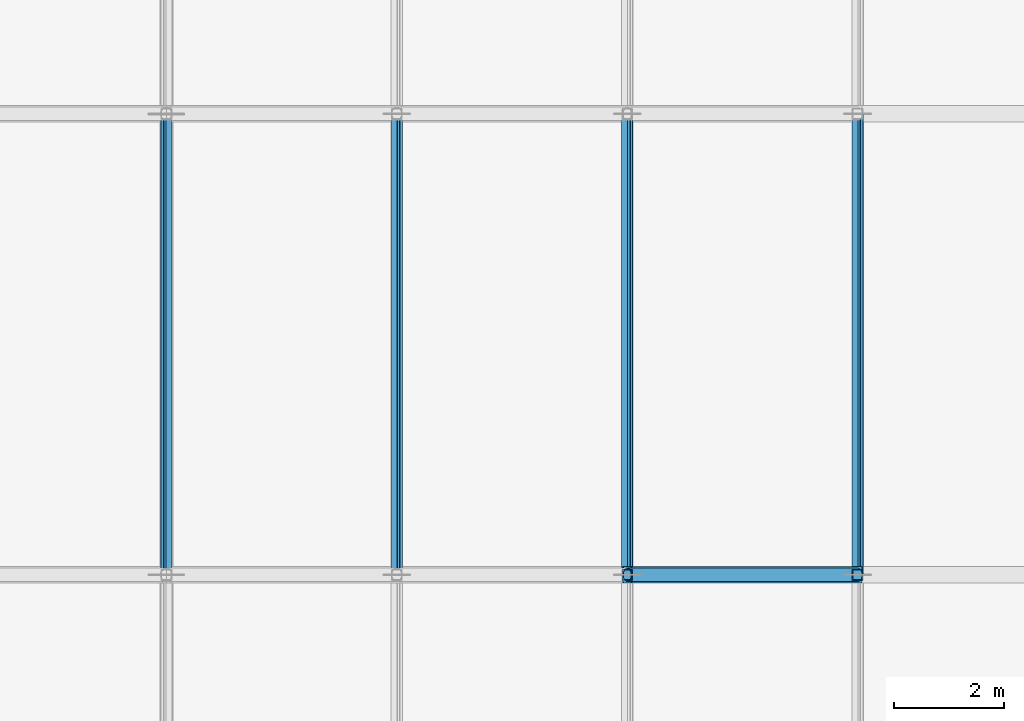
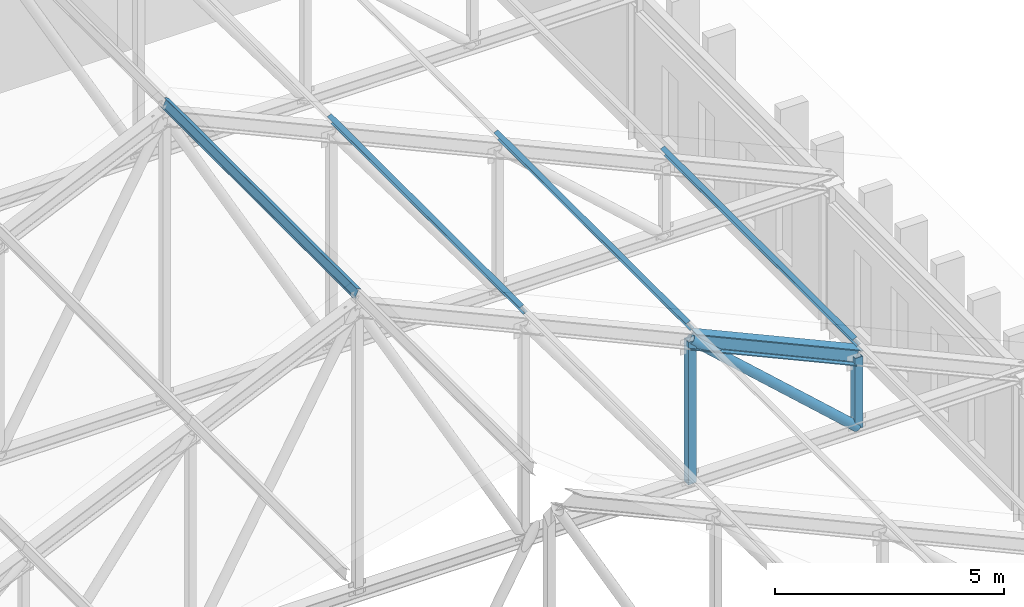
# One storey, part 12 of 110: 8 members.
"""IFC4 building model written with IfcOpenShell, lengths in metres."""

import ifcopenshell
import ifcopenshell.guid

model = None  # the IFC model being written
_history = None  # IfcOwnerHistory: only IFC2X3 demands one
_inside = {}  # id of a spatial element -> (the spatial element, [elements in it])
_under = {}  # id of a project, library or spatial element -> (it, [spatial elements below it])
_declared = {}  # id of a project -> (the project, [libraries it declares])
_typed = {}  # id of a type object -> (the type object, [elements of that type])
_made_of = {}  # id of a material, layer set ... -> (it, [elements and type objects made of it])


def new_model(schema):
    """Start an empty IFC model of exactly this schema.

    Asked for "IFC4X3", IfcOpenShell would pick the latest addendum, in which some entities
    have other attributes; the version numbers below select the first issue.
    IFC2X3 requires an IfcOwnerHistory on every rooted entity: one is made here for all.
    """
    global model, _history
    if schema == "IFC4X3":
        model = ifcopenshell.file(schema_version=(4, 3, 0, 0))
    else:
        model = ifcopenshell.file(schema=schema)
    _inside.clear()
    _under.clear()
    _declared.clear()
    _typed.clear()
    _made_of.clear()
    _history = None
    if model.schema == "IFC2X3":
        org = make("IfcOrganization", Name="unknown")
        user = make(
            "IfcPersonAndOrganization",
            ThePerson=make("IfcPerson", FamilyName="unknown"),
            TheOrganization=org,
        )
        app = make(
            "IfcApplication",
            ApplicationDeveloper=org,
            Version="unknown",
            ApplicationFullName="unknown",
            ApplicationIdentifier="unknown",
        )
        _history = make(
            "IfcOwnerHistory",
            OwningUser=user,
            OwningApplication=app,
            ChangeAction="ADDED",
            CreationDate=0,
        )
    return model


def make(cls, **values):
    """One entity of the class cls with the attributes given. An attribute that is None is left unset."""
    return model.create_entity(
        cls, **{name: value for name, value in values.items() if value is not None}
    )


def rooted(cls, **values):
    """An entity with a GlobalId (a new one), such as an element, a storey or a relation."""
    return make(cls, GlobalId=ifcopenshell.guid.new(), OwnerHistory=_history, **values)


def si_unit(unit_type, name, prefix=None):
    """IfcSIUnit, for example si_unit("LENGTHUNIT", "METRE", prefix="MILLI")."""
    return make("IfcSIUnit", UnitType=unit_type, Prefix=prefix, Name=name)


def assignment(units):
    """IfcUnitAssignment: the units of a project."""
    return None if units is None else make("IfcUnitAssignment", Units=units)


def point(xyz):
    """IfcCartesianPoint."""
    return None if xyz is None else make("IfcCartesianPoint", Coordinates=xyz)


def direction(xyz):
    """IfcDirection."""
    return None if xyz is None else make("IfcDirection", DirectionRatios=xyz)


def frame(location, z_axis=None, x_axis=None):
    """IfcAxis2Placement3D, a coordinate frame: its origin and axes. An axis left out is left unset."""
    return make(
        "IfcAxis2Placement3D",
        Location=point(location),
        Axis=direction(z_axis),
        RefDirection=direction(x_axis),
    )


def frame_2d(location, x_axis=None):
    """IfcAxis2Placement2D, a coordinate frame in the plane: its origin and x axis."""
    return make(
        "IfcAxis2Placement2D", Location=point(location), RefDirection=direction(x_axis)
    )


def origin():
    """The frame at (0, 0, 0) with its axes left unset."""
    return frame((0.0, 0.0, 0.0))


def origin_2d():
    """The frame at (0, 0) in the plane with its x axis left unset."""
    return frame_2d((0.0, 0.0))


def place(relative_to, where):
    """IfcLocalPlacement: puts the frame where relative to a parent placement (None: the world)."""
    return make(
        "IfcLocalPlacement", PlacementRelTo=relative_to, RelativePlacement=where
    )


def context(
    kind, dimensions, precision=None, world=None, true_north=None, identifier=None
):
    """IfcGeometricRepresentationContext, for example the 3D "Model" context."""
    return make(
        "IfcGeometricRepresentationContext",
        ContextIdentifier=identifier,
        ContextType=kind,
        CoordinateSpaceDimension=dimensions,
        Precision=precision,
        WorldCoordinateSystem=world,
        TrueNorth=true_north,
    )


def subcontext(parent, identifier, kind, view, scale=None):
    """IfcGeometricRepresentationSubContext, for example "Body" below "Model"."""
    return make(
        "IfcGeometricRepresentationSubContext",
        ContextIdentifier=identifier,
        ContextType=kind,
        ParentContext=parent,
        TargetScale=scale,
        TargetView=view,
    )


def project(units=None, contexts=None):
    """IfcProject with its units and contexts."""
    return rooted(
        "IfcProject",
        Name="project",
        RepresentationContexts=contexts,
        UnitsInContext=assignment(units),
    )


def spatial(cls, under=None, at=None, **own):
    """A site, building, storey or space (cls), placed at a placement, below another one or the project."""
    s = rooted(cls, ObjectPlacement=at, **own)
    if under is not None:
        _under.setdefault(under.id(), (under, []))[1].append(s)
    return s


def profile(cls, at=None, kind="AREA", **sizes):
    """A parametric profile (cls). Its sizes go by their IFC names, for example OverallWidth=200.0."""
    return make(cls, ProfileType=kind, Position=at, **sizes)


def hollow_rectangle(**sizes):
    """IfcRectangleHollowProfileDef."""
    return profile("IfcRectangleHollowProfileDef", **sizes)


def hollow_circle(**sizes):
    """IfcCircleHollowProfileDef."""
    return profile("IfcCircleHollowProfileDef", **sizes)


def i_section(**sizes):
    """IfcIShapeProfileDef."""
    return profile("IfcIShapeProfileDef", **sizes)


def extrude(swept, where, along, depth):
    """IfcExtrudedAreaSolid: the profile swept, set in the frame where, extruded along a direction by depth."""
    return make(
        "IfcExtrudedAreaSolid",
        SweptArea=swept,
        Position=where,
        ExtrudedDirection=direction(along),
        Depth=depth,
    )


def shape(context_of_items, identifier, shape_type, items):
    """IfcShapeRepresentation: the items that make up one representation, for example the "Body"."""
    return make(
        "IfcShapeRepresentation",
        ContextOfItems=context_of_items,
        RepresentationIdentifier=identifier,
        RepresentationType=shape_type,
        Items=items,
    )


def material(Name=None, Category=None):
    """IfcMaterial."""
    return make("IfcMaterial", Name=Name, Category=Category)


def material_profile(
    of_material, cross_section, Name=None, Category=None, Priority=None
):
    """IfcMaterialProfile: a cross section and its material."""
    return make(
        "IfcMaterialProfile",
        Name=Name,
        Material=of_material,
        Profile=cross_section,
        Priority=Priority,
        Category=Category,
    )


def profile_set(profiles, Name=None, composite=None):
    """IfcMaterialProfileSet."""
    return make(
        "IfcMaterialProfileSet",
        Name=Name,
        MaterialProfiles=profiles,
        CompositeProfile=composite,
    )


def made_of(thing, what):
    """Note that an element or type object is made of a material, layer set ...; save() writes the relation."""
    if what is not None:
        _made_of.setdefault(what.id(), (what, []))[1].append(thing)
    return thing


def type_object(cls, material=None, **own):
    """A type object (cls), such as IfcWallType, which elements share."""
    return made_of(rooted(cls, **own), material)


def element(
    cls,
    number,
    at=None,
    inside=None,
    cuts=None,
    type_object=None,
    material=None,
    context=None,
    identifier="Body",
    shape_type=None,
    held_by="IfcProductDefinitionShape",
    body=None,
    shapes=None,
    **own,
):
    """One element of the class cls, such as IfcWall. Its Tag is "e" and its number.

    at: its placement. inside: the storey or other place that contains it. cuts: it is an
    opening in that element (IfcRelVoidsElement). A single representation is given by context,
    identifier, shape_type and body (its items); several are given by shapes. held_by: the class
    of the entity that holds the representations. save() writes the other relations.
    """
    e = rooted(cls, Tag="e%d" % number, ObjectPlacement=at, **own)
    if body is not None:
        shapes = [shape(context, identifier, shape_type, body)]
    if shapes is not None:
        e.Representation = make(held_by, Representations=shapes)
    if inside is not None:
        _inside.setdefault(inside.id(), (inside, []))[1].append(e)
    if cuts is not None:
        rooted(
            "IfcRelVoidsElement", RelatingBuildingElement=cuts, RelatedOpeningElement=e
        )
    if type_object is not None:
        _typed.setdefault(type_object.id(), (type_object, []))[1].append(e)
    return made_of(e, material)


def aggregate(whole, parts):
    """IfcRelAggregates: a whole, such as a stair, and the parts it consists of."""
    return rooted("IfcRelAggregates", RelatingObject=whole, RelatedObjects=parts)


def save(model, path):
    """Write the relations noted so far, then the file.

    IfcRelAggregates (storeys below a building ...), IfcRelContainedInSpatialStructure (elements
    in a storey), IfcRelDefinesByType, IfcRelAssociatesMaterial and IfcRelDeclares: one each for
    every whole, place, type object, material and project.
    """
    for whole, parts in _under.values():
        aggregate(whole, parts)
    for where, things in _inside.values():
        rooted(
            "IfcRelContainedInSpatialStructure",
            RelatedElements=things,
            RelatingStructure=where,
        )
    for kind, things in _typed.values():
        rooted("IfcRelDefinesByType", RelatedObjects=things, RelatingType=kind)
    for what, things in _made_of.values():
        rooted("IfcRelAssociatesMaterial", RelatedObjects=things, RelatingMaterial=what)
    for by, libraries in _declared.values():
        rooted("IfcRelDeclares", RelatingContext=by, RelatedDefinitions=libraries)
    model.write(path)


model = new_model("IFC4")

# Units and contexts
model_context = context("Model", 3, precision=1e-05, world=origin(), true_north=direction((0.0, 1.0)))
body_context = subcontext(model_context, "Body", "Model", "MODEL_VIEW")
ifc_project = project(units=[si_unit("LENGTHUNIT", "METRE"), si_unit("AREAUNIT", "SQUARE_METRE"), si_unit("VOLUMEUNIT", "CUBIC_METRE"), si_unit("PLANEANGLEUNIT", "RADIAN"), si_unit("MASSUNIT", "GRAM", prefix="KILO")], contexts=[model_context])

# Site, building, storey
site_placement = place(None, origin())
site = spatial("IfcSite", under=ifc_project, at=site_placement, CompositionType="ELEMENT")
building_placement = place(site_placement, origin())
building = spatial("IfcBuilding", under=site, at=building_placement, Name="Kveldsbrygga Polytechnic", CompositionType="ELEMENT")
storey_placement = place(building_placement, frame((0.0, 0.0, 9.860107421875)))
storey = spatial("IfcBuildingStorey", under=building, at=storey_placement, Name="L02", CompositionType="ELEMENT", Elevation=9.860107421875)

# Members
ifc_material = material(Name="Steel S355", Category="steel")
ifc_material_profile_1 = material_profile(ifc_material, i_section(OverallWidth=0.1201171875, OverallDepth=0.239990234375, WebThickness=0.006103515625, FlangeThickness=0.009765625, FilletRadius=0.014892578125, at=origin_2d()), Name="IPE 240")
ifc_profile_set_1 = profile_set([ifc_material_profile_1], Name="Steel S355")
member_type_1 = type_object("IfcMemberType", Name="PRL-IPE240", PredefinedType="PURLIN", material=ifc_profile_set_1)
for number, where, z_axis, x_axis, name in (
    (1, (16.800048828125, 58.800048828125, 11.731201171875), (0.0, 1.0, 0.0), (-0.911107850446, 0.0, 0.41216802988), "Roof Purlin V1W-PRL-5-4"),
    (2, (21.0, 58.800048828125, 9.8310546875), (0.0, 1.0, 0.0), (-0.911107850446, 0.0, -0.41216802988), "Roof Purlin V1W-PRL-5-5"),
    (3, (25.199951171875, 58.800048828125, 7.93115234375), (0.0, 1.0, 0.0), (-0.911107850446, 0.0, -0.41216802988), "Roof Purlin V1W-PRL-5-6"),
    (4, (29.39990234375, 58.800048828125, 6.031005859375), (0.0, 1.0, 0.0), (-0.911107850446, 0.0, -0.41216802988), "Roof Purlin V1W-PRL-5-7"),
):
    element("IfcMember", number, at=place(storey_placement, frame(where, z_axis=z_axis, x_axis=x_axis)), inside=storey, type_object=member_type_1, Name=name, PredefinedType="PURLIN", context=body_context, shape_type="SweptSolid", body=[
        extrude(i_section(OverallWidth=0.1201171875, OverallDepth=0.239990234375, WebThickness=0.006103515625, FlangeThickness=0.009765625, FilletRadius=0.014892578125, at=origin_2d()), origin(), (0.0, 0.0, 1.0), 8.39990234375),
    ])
ifc_material_profile_2 = material_profile(ifc_material, hollow_circle(Radius=0.122314453125, WallThickness=0.012451171875, at=origin_2d()), Name="CHS 244.5x12.5")
ifc_profile_set_2 = profile_set([ifc_material_profile_2], Name="Steel S355")
member_type_2 = type_object("IfcMemberType", Name="TR-DIAG-CHS245", PredefinedType="BRACE", material=ifc_profile_set_2)
member_1_placement = place(storey_placement, frame((25.199951171875, 58.800048828125, 7.579833984375), z_axis=(0.741527609628, 0.0, -0.670922353302), x_axis=(0.0, 1.0, 0.0)))
element("IfcMember", 5, at=member_1_placement, inside=storey, type_object=member_type_2, Name="Truss Diagonal V1W-T05-DG-7", PredefinedType="BRACE", context=body_context, shape_type="SweptSolid", body=[
    extrude(hollow_circle(Radius=0.122314453125, WallThickness=0.012451171875, at=origin_2d()), origin(), (0.0, 0.0, 1.0), 5.663818359375),
])
ifc_material_profile_3 = material_profile(ifc_material, hollow_rectangle(XDim=0.199951171875, YDim=0.199951171875, WallThickness=0.012451171875, at=origin_2d()), Name="SHS 200x200x12.5")
ifc_profile_set_3 = profile_set([ifc_material_profile_3], Name="Steel S355")
member_type_3 = type_object("IfcMemberType", Name="TR-POST-SHS200", PredefinedType="STRUT", material=ifc_profile_set_3)
member_2_placement = place(storey_placement, frame((25.199951171875, 58.800048828125, 3.77978515625), z_axis=(0.0, 0.0, 1.0), x_axis=(1.0, 0.0, 0.0)))
element("IfcMember", 6, at=member_2_placement, inside=storey, type_object=member_type_3, Name="Truss Vertical V1W-T05-VT-6", PredefinedType="STRUT", context=body_context, shape_type="SweptSolid", body=[
    extrude(hollow_rectangle(XDim=0.199951171875, YDim=0.199951171875, WallThickness=0.012451171875, at=origin_2d()), origin(), (0.0, 0.0, 1.0), 3.800048828125),
])
member_3_placement = place(storey_placement, frame((29.39990234375, 58.800048828125, 3.77978515625), z_axis=(0.0, 0.0, 1.0), x_axis=(1.0, 0.0, 0.0)))
element("IfcMember", 7, at=member_3_placement, inside=storey, type_object=member_type_3, Name="Truss Vertical V1W-T05-VT-7", PredefinedType="STRUT", context=body_context, shape_type="SweptSolid", body=[
    extrude(hollow_rectangle(XDim=0.199951171875, YDim=0.199951171875, WallThickness=0.012451171875, at=origin_2d()), origin(), (0.0, 0.0, 1.0), 1.900146484375),
])
ifc_material_profile_4 = material_profile(ifc_material, i_section(OverallWidth=0.300048828125, OverallDepth=0.39990234375, WebThickness=0.013427734375, FlangeThickness=0.02392578125, FilletRadius=0.027099609375, at=origin_2d()), Name="HEB 400")
ifc_profile_set_4 = profile_set([ifc_material_profile_4], Name="Steel S355")
member_type_4 = type_object("IfcMemberType", Name="TR-TOP-HEB400", PredefinedType="CHORD", material=ifc_profile_set_4)
member_4_placement = place(storey_placement, frame((25.199951171875, 58.800048828125, 7.579833984375), z_axis=(0.91111407885, 0.0, -0.41215426156), x_axis=(0.0, 1.0, 0.0)))
element("IfcMember", 8, at=member_4_placement, inside=storey, type_object=member_type_4, Name="Truss Top Chord V1W-T05-TC-7", PredefinedType="CHORD", context=body_context, shape_type="SweptSolid", body=[
    extrude(i_section(OverallWidth=0.300048828125, OverallDepth=0.39990234375, WebThickness=0.013427734375, FlangeThickness=0.02392578125, FilletRadius=0.027099609375, at=origin_2d()), origin(), (0.0, 0.0, 1.0), 4.609619140625),
])

save(model, "model.ifc")
